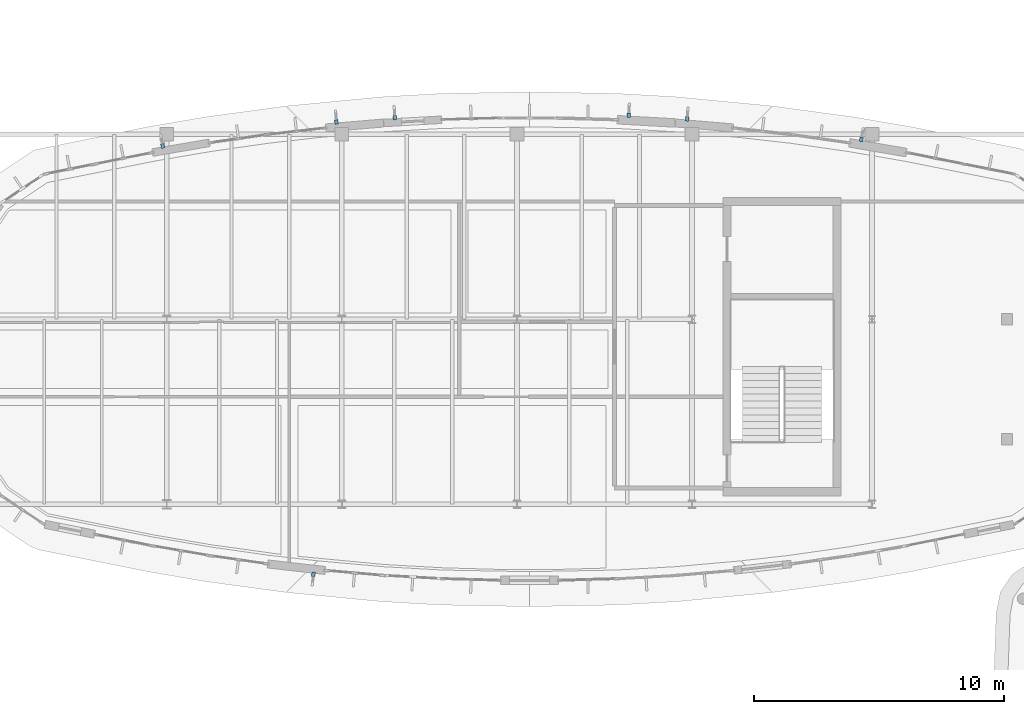
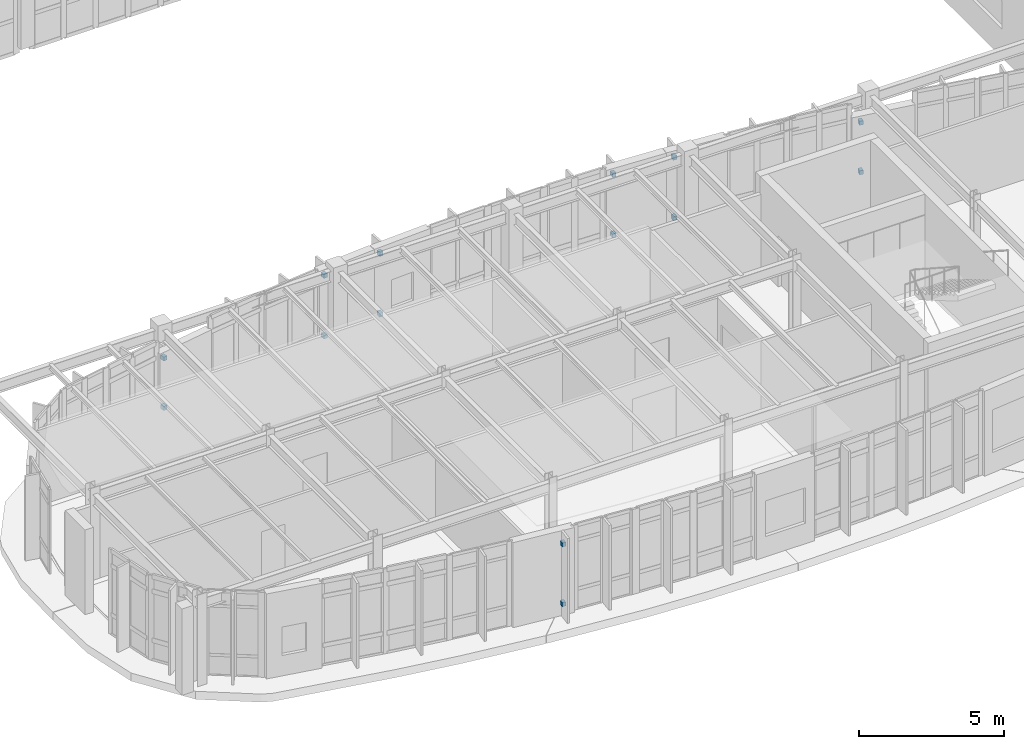
# One storey, part 93 of 111: 14 discrete accessories.
"""IFC4 building model written with IfcOpenShell, lengths in metres."""

from ifc_helpers import new_model, si_unit, direction, frame, origin, origin_2d, place, context, subcontext, project, spatial, rectangle, extrude, material, type_object, element, save


model = new_model("IFC4")

# Units and contexts
model_context = context("Model", 3, precision=1e-05, world=origin(), true_north=direction((0.0, 1.0)))
body_context = subcontext(model_context, "Body", "Model", "MODEL_VIEW")
ifc_project = project(units=[si_unit("LENGTHUNIT", "METRE"), si_unit("AREAUNIT", "SQUARE_METRE"), si_unit("VOLUMEUNIT", "CUBIC_METRE"), si_unit("PLANEANGLEUNIT", "RADIAN"), si_unit("MASSUNIT", "GRAM", prefix="KILO")], contexts=[model_context])

# Site, building, storey
site_placement = place(None, origin())
site = spatial("IfcSite", under=ifc_project, at=site_placement, CompositionType="ELEMENT")
building_placement = place(site_placement, origin())
building = spatial("IfcBuilding", under=site, at=building_placement, Name="Corveleigh Park Community Centre", CompositionType="ELEMENT")
storey_placement = place(building_placement, frame((0.0, 0.0, 4.800048828125)))
storey = spatial("IfcBuildingStorey", under=building, at=storey_placement, Name="L01", CompositionType="ELEMENT", Elevation=4.800048828125)

# Discrete accessories
ifc_material = material(Name="Stainless steel 316 balustrade", Category="steel")
discrete_accessory_type = type_object("IfcDiscreteAccessoryType", Name="ACC-BRK-STL", PredefinedType="BRACKET", material=ifc_material)
for number, where, z_axis, x_axis, name in (
    (1, (24.06591796875, 75.205078125, 0.5), (0.0, 0.0, 1.0), (-0.113132523128, -0.99357990731, 0.0), "Fin fixing bracket lower"),
    (2, (24.06591796875, 75.205078125, 3.02001953125), (0.0, 0.0, 1.0), (-0.113132523128, -0.99357990731, 0.0), "Fin fixing bracket upper"),
    (3, (45.971923828125, 92.5830078125, 0.5), (0.0, 0.0, 1.0), (0.16846025177, 0.985708447551, 0.0), "Fin fixing bracket lower"),
    (4, (45.971923828125, 92.5830078125, 2.587890625), (0.0, 0.0, 1.0), (0.16846025177, 0.985708447551, 0.0), "Fin fixing bracket upper"),
    (5, (39.00390625, 93.406005859375, 0.5), (0.0, 0.0, 1.0), (0.084653854486, 0.996410419918, 0.0), "Fin fixing bracket lower"),
    (6, (39.00390625, 93.406005859375, 3.056884765625), (0.0, 0.0, 1.0), (0.084653854486, 0.996410419918, 0.0), "Fin fixing bracket upper"),
    (7, (36.669921875, 93.56103515625, 0.5), (0.0, 0.0, 1.0), (0.056139697262, 0.998422923611, 0.0), "Fin fixing bracket lower"),
    (8, (36.669921875, 93.56103515625, 3.056884765625), (0.0, 0.0, 1.0), (0.056139697262, 0.998422923611, 0.0), "Fin fixing bracket upper"),
    (9, (27.318115234375, 93.4619140625, 0.5), (0.0, 0.0, 1.0), (-0.056139697262, 0.998422923611, 0.0), "Fin fixing bracket lower"),
    (10, (27.318115234375, 93.4619140625, 3.056884765625), (0.0, 0.0, 1.0), (-0.056139697262, 0.998422923611, 0.0), "Fin fixing bracket upper"),
    (11, (24.986083984375, 93.285888671875, 0.5), (0.0, 0.0, 1.0), (-0.084653854486, 0.996410419918, 0.0), "Fin fixing bracket lower"),
    (12, (24.986083984375, 93.285888671875, 3.056884765625), (0.0, 0.0, 1.0), (-0.084653854486, 0.996410419918, 0.0), "Fin fixing bracket upper"),
    (13, (18.037109375, 92.324951171875, 0.5), (0.0, 0.0, 1.0), (-0.16846025177, 0.985708447551, 0.0), "Fin fixing bracket lower"),
    (14, (18.037109375, 92.324951171875, 2.587890625), (0.0, 0.0, 1.0), (-0.16846025177, 0.985708447551, 0.0), "Fin fixing bracket upper"),
):
    element("IfcDiscreteAccessory", number, at=place(storey_placement, frame(where, z_axis=z_axis, x_axis=x_axis)), inside=storey, type_object=discrete_accessory_type, Name=name, PredefinedType="BRACKET", context=body_context, shape_type="SweptSolid", body=[
        extrude(rectangle(XDim=0.179931640625, YDim=0.139892578125, at=origin_2d()), origin(), (0.0, 0.0, 1.0), 0.169921875),
    ])

save(model, "model.ifc")
